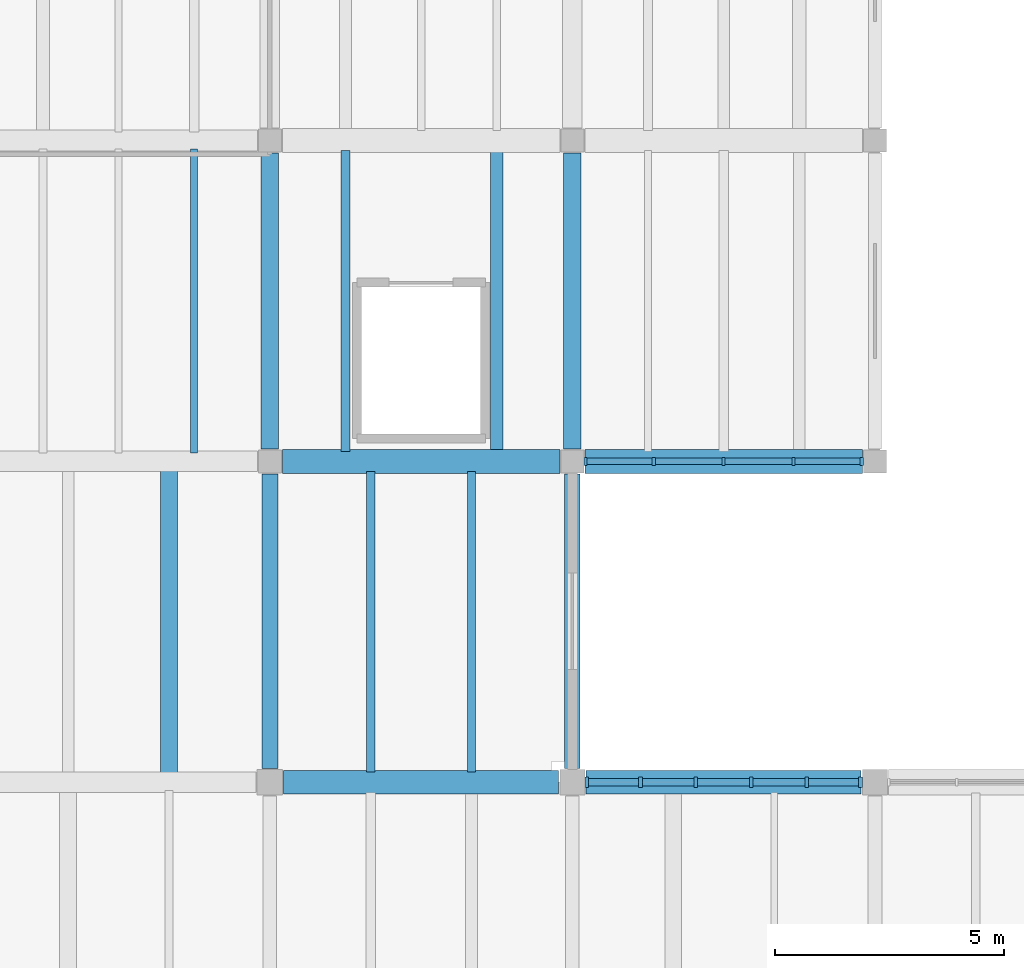
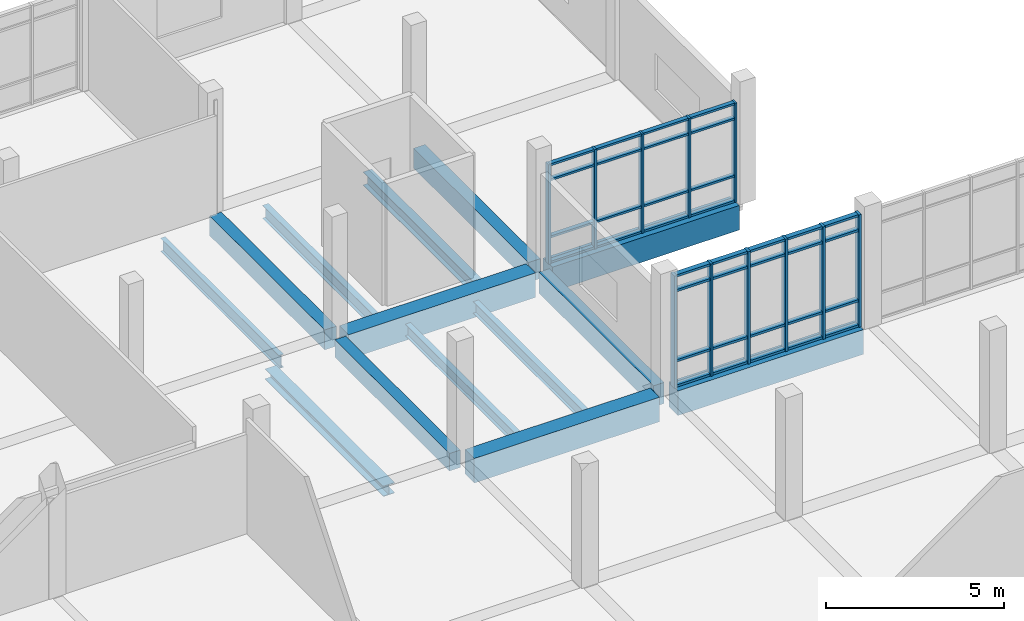
# One storey, part 21 of 65: 47 members, 14 beams, 2 elements without a shape of their own.
"""IFC4 building model written with IfcOpenShell, lengths in metres."""

from ifc_helpers import new_model, si_unit, direction, frame, origin, origin_2d, place, context, subcontext, project, spatial, rectangle, i_section, extrude, material, material_profile, profile_set, type_object, element, aggregate, save


model = new_model("IFC4")

# Units and contexts
model_context = context("Model", 3, precision=1e-05, world=origin(), true_north=direction((0.0, 1.0)))
body_context = subcontext(model_context, "Body", "Model", "MODEL_VIEW")
ifc_project = project(units=[si_unit("LENGTHUNIT", "METRE"), si_unit("AREAUNIT", "SQUARE_METRE"), si_unit("VOLUMEUNIT", "CUBIC_METRE"), si_unit("PLANEANGLEUNIT", "RADIAN"), si_unit("MASSUNIT", "GRAM", prefix="KILO")], contexts=[model_context])

# Site, building, storey
site_placement = place(None, origin())
site = spatial("IfcSite", under=ifc_project, at=site_placement, CompositionType="ELEMENT")
building_placement = place(site_placement, origin())
building = spatial("IfcBuilding", under=site, at=building_placement, Name="Ciguamira Faculty of Natural Sciences", CompositionType="ELEMENT")
storey_placement = place(building_placement, frame((0.0, 0.0, 12.60009765625)))
storey = spatial("IfcBuildingStorey", under=building, at=storey_placement, Name="L03", CompositionType="ELEMENT", Elevation=12.60009765625)

# Curtain wall, members
ifc_material_1 = material(Name="Anodized aluminium curtain wall", Category="aluminium")
curtain_wall_type_1 = type_object("IfcCurtainWallType", Name="CurtainWall_CW-05", PredefinedType="USERDEFINED", material=ifc_material_1)
curtain_wall_1_placement = place(storey_placement, origin())
curtain_wall_1 = element("IfcCurtainWall", 1, at=curtain_wall_1_placement, inside=storey, type_object=curtain_wall_type_1, Name="L03 unitised curtain wall 0089", ObjectType="UNITISED CURTAIN WALL", PredefinedType="USERDEFINED")
ifc_material_2 = material(Name="Anodized aluminium mullion", Category="aluminium")
ifc_material_profile_1 = material_profile(ifc_material_2, rectangle(XDim=0.070068359375, YDim=0.179931640625, at=origin_2d()), Name="ALU-MUL-70X180")
ifc_profile_set_1 = profile_set([ifc_material_profile_1], Name="Anodized aluminium mullion")
member_type_1 = type_object("IfcMemberType", Name="CWMullion_CWM-02", PredefinedType="MULLION", material=ifc_profile_set_1)
member_1_placement = place(storey_placement, frame((110.385009765625, 45.0, 0.0), z_axis=(0.0, 0.0, 1.0), x_axis=(1.0, 0.0, 0.0)))
member_1 = element("IfcMember", 2, at=member_1_placement, type_object=member_type_1, Name="CW-05 mullion 1", PredefinedType="MULLION", context=body_context, shape_type="SweptSolid", body=[
    extrude(rectangle(XDim=0.070068359375, YDim=0.179931640625, at=origin_2d()), origin(), (0.0, 0.0, 1.0), 3.40478515625),
])
member_2_placement = place(storey_placement, frame((111.875, 45.0, 0.0), z_axis=(0.0, 0.0, 1.0), x_axis=(1.0, 0.0, 0.0)))
member_2 = element("IfcMember", 3, at=member_2_placement, type_object=member_type_1, Name="CW-05 mullion 2", PredefinedType="MULLION", context=body_context, shape_type="SweptSolid", body=[
    extrude(rectangle(XDim=0.070068359375, YDim=0.179931640625, at=origin_2d()), origin(), (0.0, 0.0, 1.0), 3.40478515625),
])
member_3_placement = place(storey_placement, frame((113.39990234375, 45.0, 0.0), z_axis=(0.0, 0.0, 1.0), x_axis=(1.0, 0.0, 0.0)))
member_3 = element("IfcMember", 4, at=member_3_placement, type_object=member_type_1, Name="CW-05 mullion 3", PredefinedType="MULLION", context=body_context, shape_type="SweptSolid", body=[
    extrude(rectangle(XDim=0.070068359375, YDim=0.179931640625, at=origin_2d()), origin(), (0.0, 0.0, 1.0), 3.40478515625),
])
member_4_placement = place(storey_placement, frame((114.925048828125, 45.0, 0.0), z_axis=(0.0, 0.0, 1.0), x_axis=(1.0, 0.0, 0.0)))
member_4 = element("IfcMember", 5, at=member_4_placement, type_object=member_type_1, Name="CW-05 mullion 4", PredefinedType="MULLION", context=body_context, shape_type="SweptSolid", body=[
    extrude(rectangle(XDim=0.070068359375, YDim=0.179931640625, at=origin_2d()), origin(), (0.0, 0.0, 1.0), 3.40478515625),
])
member_5_placement = place(storey_placement, frame((116.4150390625, 45.0, 0.0), z_axis=(0.0, 0.0, 1.0), x_axis=(1.0, 0.0, 0.0)))
member_5 = element("IfcMember", 6, at=member_5_placement, type_object=member_type_1, Name="CW-05 mullion 5", PredefinedType="MULLION", context=body_context, shape_type="SweptSolid", body=[
    extrude(rectangle(XDim=0.070068359375, YDim=0.179931640625, at=origin_2d()), origin(), (0.0, 0.0, 1.0), 3.40478515625),
])

curtain_wall_type_2 = type_object("IfcCurtainWallType", Name="CurtainWall_CW-03", PredefinedType="USERDEFINED", material=ifc_material_1)
curtain_wall_2_placement = place(storey_placement, origin())
curtain_wall_2 = element("IfcCurtainWall", 7, at=curtain_wall_2_placement, inside=storey, type_object=curtain_wall_type_2, Name="L03 unitised curtain wall 0087", ObjectType="UNITISED CURTAIN WALL", PredefinedType="USERDEFINED")
ifc_material_profile_2 = material_profile(ifc_material_2, rectangle(XDim=0.080078125, YDim=0.219970703125, at=origin_2d()), Name="ALU-MUL-80X220")
ifc_profile_set_2 = profile_set([ifc_material_profile_2], Name="Anodized aluminium mullion")
member_type_2 = type_object("IfcMemberType", Name="CWMullion_CWM-03", PredefinedType="MULLION", material=ifc_profile_set_2)
member_6_placement = place(storey_placement, frame((110.4150390625, 38.0, 0.0), z_axis=(0.0, 0.0, 1.0), x_axis=(1.0, 0.0, 0.0)))
member_6 = element("IfcMember", 8, at=member_6_placement, type_object=member_type_2, Name="CW-03 mullion 1", PredefinedType="MULLION", context=body_context, shape_type="SweptSolid", body=[
    extrude(rectangle(XDim=0.080078125, YDim=0.219970703125, at=origin_2d()), origin(), (0.0, 0.0, 1.0), 3.849853515625),
])
member_7_placement = place(storey_placement, frame((111.5849609375, 38.0, 0.0), z_axis=(0.0, 0.0, 1.0), x_axis=(1.0, 0.0, 0.0)))
member_7 = element("IfcMember", 9, at=member_7_placement, type_object=member_type_2, Name="CW-03 mullion 2", PredefinedType="MULLION", context=body_context, shape_type="SweptSolid", body=[
    extrude(rectangle(XDim=0.080078125, YDim=0.219970703125, at=origin_2d()), origin(), (0.0, 0.0, 1.0), 3.849853515625),
])
member_8_placement = place(storey_placement, frame((112.794921875, 38.0, 0.0), z_axis=(0.0, 0.0, 1.0), x_axis=(1.0, 0.0, 0.0)))
member_8 = element("IfcMember", 10, at=member_8_placement, type_object=member_type_2, Name="CW-03 mullion 3", PredefinedType="MULLION", context=body_context, shape_type="SweptSolid", body=[
    extrude(rectangle(XDim=0.080078125, YDim=0.219970703125, at=origin_2d()), origin(), (0.0, 0.0, 1.0), 3.849853515625),
])
member_9_placement = place(storey_placement, frame((114.0048828125, 38.0, 0.0), z_axis=(0.0, 0.0, 1.0), x_axis=(1.0, 0.0, 0.0)))
member_9 = element("IfcMember", 11, at=member_9_placement, type_object=member_type_2, Name="CW-03 mullion 4", PredefinedType="MULLION", context=body_context, shape_type="SweptSolid", body=[
    extrude(rectangle(XDim=0.080078125, YDim=0.219970703125, at=origin_2d()), origin(), (0.0, 0.0, 1.0), 3.849853515625),
])
member_10_placement = place(storey_placement, frame((115.215087890625, 38.0, 0.0), z_axis=(0.0, 0.0, 1.0), x_axis=(1.0, 0.0, 0.0)))
member_10 = element("IfcMember", 12, at=member_10_placement, type_object=member_type_2, Name="CW-03 mullion 5", PredefinedType="MULLION", context=body_context, shape_type="SweptSolid", body=[
    extrude(rectangle(XDim=0.080078125, YDim=0.219970703125, at=origin_2d()), origin(), (0.0, 0.0, 1.0), 3.849853515625),
])
member_11_placement = place(storey_placement, frame((116.385009765625, 38.0, 0.0), z_axis=(0.0, 0.0, 1.0), x_axis=(1.0, 0.0, 0.0)))
member_11 = element("IfcMember", 13, at=member_11_placement, type_object=member_type_2, Name="CW-03 mullion 6", PredefinedType="MULLION", context=body_context, shape_type="SweptSolid", body=[
    extrude(rectangle(XDim=0.080078125, YDim=0.219970703125, at=origin_2d()), origin(), (0.0, 0.0, 1.0), 3.849853515625),
])

# Member
ifc_material_3 = material(Name="Anodized aluminium transom", Category="aluminium")
ifc_material_profile_3 = material_profile(ifc_material_3, rectangle(XDim=0.070068359375, YDim=0.139892578125, at=origin_2d()), Name="ALU-TRN-70X140")
ifc_profile_set_3 = profile_set([ifc_material_profile_3], Name="Anodized aluminium transom")
member_type_3 = type_object("IfcMemberType", Name="CWTransom_CWT-02", PredefinedType="USERDEFINED", material=ifc_profile_set_3)
member_12_placement = place(storey_placement, frame((110.419921875, 45.0, 0.034912109375), z_axis=(1.0, 0.0, 0.0), x_axis=(0.0, 0.0, 1.0)))
member_12 = element("IfcMember", 14, at=member_12_placement, type_object=member_type_3, Name="CW-05 transom 1.1", ObjectType="TRANSOM", PredefinedType="USERDEFINED", context=body_context, shape_type="SweptSolid", body=[
    extrude(rectangle(XDim=0.070068359375, YDim=0.139892578125, at=origin_2d()), origin(), (0.0, 0.0, 1.0), 1.420166015625),
])

member_13_placement = place(storey_placement, frame((110.419921875, 45.0, 0.89990234375), z_axis=(1.0, 0.0, 0.0), x_axis=(0.0, 0.0, 1.0)))
member_13 = element("IfcMember", 15, at=member_13_placement, type_object=member_type_3, Name="CW-05 transom 1.2", ObjectType="TRANSOM", PredefinedType="USERDEFINED", context=body_context, shape_type="SweptSolid", body=[
    extrude(rectangle(XDim=0.070068359375, YDim=0.139892578125, at=origin_2d()), origin(), (0.0, 0.0, 1.0), 1.420166015625),
])

member_14_placement = place(storey_placement, frame((110.419921875, 45.0, 2.85498046875), z_axis=(1.0, 0.0, 0.0), x_axis=(0.0, 0.0, 1.0)))
member_14 = element("IfcMember", 16, at=member_14_placement, type_object=member_type_3, Name="CW-05 transom 1.3", ObjectType="TRANSOM", PredefinedType="USERDEFINED", context=body_context, shape_type="SweptSolid", body=[
    extrude(rectangle(XDim=0.070068359375, YDim=0.139892578125, at=origin_2d()), origin(), (0.0, 0.0, 1.0), 1.420166015625),
])

member_15_placement = place(storey_placement, frame((110.419921875, 45.0, 3.369873046875), z_axis=(1.0, 0.0, 0.0), x_axis=(0.0, 0.0, 1.0)))
member_15 = element("IfcMember", 17, at=member_15_placement, type_object=member_type_3, Name="CW-05 transom 1.4", ObjectType="TRANSOM", PredefinedType="USERDEFINED", context=body_context, shape_type="SweptSolid", body=[
    extrude(rectangle(XDim=0.070068359375, YDim=0.139892578125, at=origin_2d()), origin(), (0.0, 0.0, 1.0), 1.420166015625),
])

member_16_placement = place(storey_placement, frame((111.909912109375, 45.0, 0.034912109375), z_axis=(1.0, 0.0, 0.0), x_axis=(0.0, 0.0, 1.0)))
member_16 = element("IfcMember", 18, at=member_16_placement, type_object=member_type_3, Name="CW-05 transom 2.1", ObjectType="TRANSOM", PredefinedType="USERDEFINED", context=body_context, shape_type="SweptSolid", body=[
    extrude(rectangle(XDim=0.070068359375, YDim=0.139892578125, at=origin_2d()), origin(), (0.0, 0.0, 1.0), 1.455078125),
])

member_17_placement = place(storey_placement, frame((111.909912109375, 45.0, 0.89990234375), z_axis=(1.0, 0.0, 0.0), x_axis=(0.0, 0.0, 1.0)))
member_17 = element("IfcMember", 19, at=member_17_placement, type_object=member_type_3, Name="CW-05 transom 2.2", ObjectType="TRANSOM", PredefinedType="USERDEFINED", context=body_context, shape_type="SweptSolid", body=[
    extrude(rectangle(XDim=0.070068359375, YDim=0.139892578125, at=origin_2d()), origin(), (0.0, 0.0, 1.0), 1.455078125),
])

member_18_placement = place(storey_placement, frame((111.909912109375, 45.0, 2.85498046875), z_axis=(1.0, 0.0, 0.0), x_axis=(0.0, 0.0, 1.0)))
member_18 = element("IfcMember", 20, at=member_18_placement, type_object=member_type_3, Name="CW-05 transom 2.3", ObjectType="TRANSOM", PredefinedType="USERDEFINED", context=body_context, shape_type="SweptSolid", body=[
    extrude(rectangle(XDim=0.070068359375, YDim=0.139892578125, at=origin_2d()), origin(), (0.0, 0.0, 1.0), 1.455078125),
])

member_19_placement = place(storey_placement, frame((111.909912109375, 45.0, 3.369873046875), z_axis=(1.0, 0.0, 0.0), x_axis=(0.0, 0.0, 1.0)))
member_19 = element("IfcMember", 21, at=member_19_placement, type_object=member_type_3, Name="CW-05 transom 2.4", ObjectType="TRANSOM", PredefinedType="USERDEFINED", context=body_context, shape_type="SweptSolid", body=[
    extrude(rectangle(XDim=0.070068359375, YDim=0.139892578125, at=origin_2d()), origin(), (0.0, 0.0, 1.0), 1.455078125),
])

member_20_placement = place(storey_placement, frame((113.43505859375, 45.0, 0.034912109375), z_axis=(1.0, 0.0, 0.0), x_axis=(0.0, 0.0, 1.0)))
member_20 = element("IfcMember", 22, at=member_20_placement, type_object=member_type_3, Name="CW-05 transom 3.1", ObjectType="TRANSOM", PredefinedType="USERDEFINED", context=body_context, shape_type="SweptSolid", body=[
    extrude(rectangle(XDim=0.070068359375, YDim=0.139892578125, at=origin_2d()), origin(), (0.0, 0.0, 1.0), 1.454833984375),
])

member_21_placement = place(storey_placement, frame((113.43505859375, 45.0, 0.89990234375), z_axis=(1.0, 0.0, 0.0), x_axis=(0.0, 0.0, 1.0)))
member_21 = element("IfcMember", 23, at=member_21_placement, type_object=member_type_3, Name="CW-05 transom 3.2", ObjectType="TRANSOM", PredefinedType="USERDEFINED", context=body_context, shape_type="SweptSolid", body=[
    extrude(rectangle(XDim=0.070068359375, YDim=0.139892578125, at=origin_2d()), origin(), (0.0, 0.0, 1.0), 1.454833984375),
])

member_22_placement = place(storey_placement, frame((113.43505859375, 45.0, 2.85498046875), z_axis=(1.0, 0.0, 0.0), x_axis=(0.0, 0.0, 1.0)))
member_22 = element("IfcMember", 24, at=member_22_placement, type_object=member_type_3, Name="CW-05 transom 3.3", ObjectType="TRANSOM", PredefinedType="USERDEFINED", context=body_context, shape_type="SweptSolid", body=[
    extrude(rectangle(XDim=0.070068359375, YDim=0.139892578125, at=origin_2d()), origin(), (0.0, 0.0, 1.0), 1.454833984375),
])

member_23_placement = place(storey_placement, frame((113.43505859375, 45.0, 3.369873046875), z_axis=(1.0, 0.0, 0.0), x_axis=(0.0, 0.0, 1.0)))
member_23 = element("IfcMember", 25, at=member_23_placement, type_object=member_type_3, Name="CW-05 transom 3.4", ObjectType="TRANSOM", PredefinedType="USERDEFINED", context=body_context, shape_type="SweptSolid", body=[
    extrude(rectangle(XDim=0.070068359375, YDim=0.139892578125, at=origin_2d()), origin(), (0.0, 0.0, 1.0), 1.454833984375),
])

member_24_placement = place(storey_placement, frame((114.9599609375, 45.0, 0.034912109375), z_axis=(1.0, 0.0, 0.0), x_axis=(0.0, 0.0, 1.0)))
member_24 = element("IfcMember", 26, at=member_24_placement, type_object=member_type_3, Name="CW-05 transom 4.1", ObjectType="TRANSOM", PredefinedType="USERDEFINED", context=body_context, shape_type="SweptSolid", body=[
    extrude(rectangle(XDim=0.070068359375, YDim=0.139892578125, at=origin_2d()), origin(), (0.0, 0.0, 1.0), 1.419921875),
])

member_25_placement = place(storey_placement, frame((114.9599609375, 45.0, 0.89990234375), z_axis=(1.0, 0.0, 0.0), x_axis=(0.0, 0.0, 1.0)))
member_25 = element("IfcMember", 27, at=member_25_placement, type_object=member_type_3, Name="CW-05 transom 4.2", ObjectType="TRANSOM", PredefinedType="USERDEFINED", context=body_context, shape_type="SweptSolid", body=[
    extrude(rectangle(XDim=0.070068359375, YDim=0.139892578125, at=origin_2d()), origin(), (0.0, 0.0, 1.0), 1.419921875),
])

member_26_placement = place(storey_placement, frame((114.9599609375, 45.0, 2.85498046875), z_axis=(1.0, 0.0, 0.0), x_axis=(0.0, 0.0, 1.0)))
member_26 = element("IfcMember", 28, at=member_26_placement, type_object=member_type_3, Name="CW-05 transom 4.3", ObjectType="TRANSOM", PredefinedType="USERDEFINED", context=body_context, shape_type="SweptSolid", body=[
    extrude(rectangle(XDim=0.070068359375, YDim=0.139892578125, at=origin_2d()), origin(), (0.0, 0.0, 1.0), 1.419921875),
])

member_27_placement = place(storey_placement, frame((114.9599609375, 45.0, 3.369873046875), z_axis=(1.0, 0.0, 0.0), x_axis=(0.0, 0.0, 1.0)))
member_27 = element("IfcMember", 29, at=member_27_placement, type_object=member_type_3, Name="CW-05 transom 4.4", ObjectType="TRANSOM", PredefinedType="USERDEFINED", context=body_context, shape_type="SweptSolid", body=[
    extrude(rectangle(XDim=0.070068359375, YDim=0.139892578125, at=origin_2d()), origin(), (0.0, 0.0, 1.0), 1.419921875),
])

aggregate(curtain_wall_1, [member_1, member_2, member_3, member_4, member_5, member_12, member_13, member_14, member_15, member_16, member_17, member_18, member_19, member_20, member_21, member_22, member_23, member_24, member_25, member_26, member_27])

ifc_material_profile_4 = material_profile(ifc_material_3, rectangle(XDim=0.080078125, YDim=0.159912109375, at=origin_2d()), Name="ALU-TRN-80X160")
ifc_profile_set_4 = profile_set([ifc_material_profile_4], Name="Anodized aluminium transom")
member_type_4 = type_object("IfcMemberType", Name="CWTransom_CWT-03", PredefinedType="USERDEFINED", material=ifc_profile_set_4)
member_28_placement = place(storey_placement, frame((110.455078125, 38.0, 0.039794921875), z_axis=(1.0, 0.0, 0.0), x_axis=(0.0, 0.0, 1.0)))
member_28 = element("IfcMember", 30, at=member_28_placement, type_object=member_type_4, Name="CW-03 transom 1.1", ObjectType="TRANSOM", PredefinedType="USERDEFINED", context=body_context, shape_type="SweptSolid", body=[
    extrude(rectangle(XDim=0.080078125, YDim=0.159912109375, at=origin_2d()), origin(), (0.0, 0.0, 1.0), 1.08984375),
])

member_29_placement = place(storey_placement, frame((110.455078125, 38.0, 0.89990234375), z_axis=(1.0, 0.0, 0.0), x_axis=(0.0, 0.0, 1.0)))
member_29 = element("IfcMember", 31, at=member_29_placement, type_object=member_type_4, Name="CW-03 transom 1.2", ObjectType="TRANSOM", PredefinedType="USERDEFINED", context=body_context, shape_type="SweptSolid", body=[
    extrude(rectangle(XDim=0.080078125, YDim=0.159912109375, at=origin_2d()), origin(), (0.0, 0.0, 1.0), 1.08984375),
])

member_30_placement = place(storey_placement, frame((110.455078125, 38.0, 3.2998046875), z_axis=(1.0, 0.0, 0.0), x_axis=(0.0, 0.0, 1.0)))
member_30 = element("IfcMember", 32, at=member_30_placement, type_object=member_type_4, Name="CW-03 transom 1.3", ObjectType="TRANSOM", PredefinedType="USERDEFINED", context=body_context, shape_type="SweptSolid", body=[
    extrude(rectangle(XDim=0.080078125, YDim=0.159912109375, at=origin_2d()), origin(), (0.0, 0.0, 1.0), 1.08984375),
])

member_31_placement = place(storey_placement, frame((110.455078125, 38.0, 3.809814453125), z_axis=(1.0, 0.0, 0.0), x_axis=(0.0, 0.0, 1.0)))
member_31 = element("IfcMember", 33, at=member_31_placement, type_object=member_type_4, Name="CW-03 transom 1.4", ObjectType="TRANSOM", PredefinedType="USERDEFINED", context=body_context, shape_type="SweptSolid", body=[
    extrude(rectangle(XDim=0.080078125, YDim=0.159912109375, at=origin_2d()), origin(), (0.0, 0.0, 1.0), 1.08984375),
])

member_32_placement = place(storey_placement, frame((111.625, 38.0, 0.039794921875), z_axis=(1.0, 0.0, 0.0), x_axis=(0.0, 0.0, 1.0)))
member_32 = element("IfcMember", 34, at=member_32_placement, type_object=member_type_4, Name="CW-03 transom 2.1", ObjectType="TRANSOM", PredefinedType="USERDEFINED", context=body_context, shape_type="SweptSolid", body=[
    extrude(rectangle(XDim=0.080078125, YDim=0.159912109375, at=origin_2d()), origin(), (0.0, 0.0, 1.0), 1.1298828125),
])

member_33_placement = place(storey_placement, frame((111.625, 38.0, 0.89990234375), z_axis=(1.0, 0.0, 0.0), x_axis=(0.0, 0.0, 1.0)))
member_33 = element("IfcMember", 35, at=member_33_placement, type_object=member_type_4, Name="CW-03 transom 2.2", ObjectType="TRANSOM", PredefinedType="USERDEFINED", context=body_context, shape_type="SweptSolid", body=[
    extrude(rectangle(XDim=0.080078125, YDim=0.159912109375, at=origin_2d()), origin(), (0.0, 0.0, 1.0), 1.1298828125),
])

member_34_placement = place(storey_placement, frame((111.625, 38.0, 3.2998046875), z_axis=(1.0, 0.0, 0.0), x_axis=(0.0, 0.0, 1.0)))
member_34 = element("IfcMember", 36, at=member_34_placement, type_object=member_type_4, Name="CW-03 transom 2.3", ObjectType="TRANSOM", PredefinedType="USERDEFINED", context=body_context, shape_type="SweptSolid", body=[
    extrude(rectangle(XDim=0.080078125, YDim=0.159912109375, at=origin_2d()), origin(), (0.0, 0.0, 1.0), 1.1298828125),
])

member_35_placement = place(storey_placement, frame((111.625, 38.0, 3.809814453125), z_axis=(1.0, 0.0, 0.0), x_axis=(0.0, 0.0, 1.0)))
member_35 = element("IfcMember", 37, at=member_35_placement, type_object=member_type_4, Name="CW-03 transom 2.4", ObjectType="TRANSOM", PredefinedType="USERDEFINED", context=body_context, shape_type="SweptSolid", body=[
    extrude(rectangle(XDim=0.080078125, YDim=0.159912109375, at=origin_2d()), origin(), (0.0, 0.0, 1.0), 1.1298828125),
])

member_36_placement = place(storey_placement, frame((112.8349609375, 38.0, 0.039794921875), z_axis=(1.0, 0.0, 0.0), x_axis=(0.0, 0.0, 1.0)))
member_36 = element("IfcMember", 38, at=member_36_placement, type_object=member_type_4, Name="CW-03 transom 3.1", ObjectType="TRANSOM", PredefinedType="USERDEFINED", context=body_context, shape_type="SweptSolid", body=[
    extrude(rectangle(XDim=0.080078125, YDim=0.159912109375, at=origin_2d()), origin(), (0.0, 0.0, 1.0), 1.130126953125),
])

member_37_placement = place(storey_placement, frame((112.8349609375, 38.0, 0.89990234375), z_axis=(1.0, 0.0, 0.0), x_axis=(0.0, 0.0, 1.0)))
member_37 = element("IfcMember", 39, at=member_37_placement, type_object=member_type_4, Name="CW-03 transom 3.2", ObjectType="TRANSOM", PredefinedType="USERDEFINED", context=body_context, shape_type="SweptSolid", body=[
    extrude(rectangle(XDim=0.080078125, YDim=0.159912109375, at=origin_2d()), origin(), (0.0, 0.0, 1.0), 1.130126953125),
])

member_38_placement = place(storey_placement, frame((112.8349609375, 38.0, 3.2998046875), z_axis=(1.0, 0.0, 0.0), x_axis=(0.0, 0.0, 1.0)))
member_38 = element("IfcMember", 40, at=member_38_placement, type_object=member_type_4, Name="CW-03 transom 3.3", ObjectType="TRANSOM", PredefinedType="USERDEFINED", context=body_context, shape_type="SweptSolid", body=[
    extrude(rectangle(XDim=0.080078125, YDim=0.159912109375, at=origin_2d()), origin(), (0.0, 0.0, 1.0), 1.130126953125),
])

member_39_placement = place(storey_placement, frame((112.8349609375, 38.0, 3.809814453125), z_axis=(1.0, 0.0, 0.0), x_axis=(0.0, 0.0, 1.0)))
member_39 = element("IfcMember", 41, at=member_39_placement, type_object=member_type_4, Name="CW-03 transom 3.4", ObjectType="TRANSOM", PredefinedType="USERDEFINED", context=body_context, shape_type="SweptSolid", body=[
    extrude(rectangle(XDim=0.080078125, YDim=0.159912109375, at=origin_2d()), origin(), (0.0, 0.0, 1.0), 1.130126953125),
])

member_40_placement = place(storey_placement, frame((114.044921875, 38.0, 0.039794921875), z_axis=(1.0, 0.0, 0.0), x_axis=(0.0, 0.0, 1.0)))
member_40 = element("IfcMember", 42, at=member_40_placement, type_object=member_type_4, Name="CW-03 transom 4.1", ObjectType="TRANSOM", PredefinedType="USERDEFINED", context=body_context, shape_type="SweptSolid", body=[
    extrude(rectangle(XDim=0.080078125, YDim=0.159912109375, at=origin_2d()), origin(), (0.0, 0.0, 1.0), 1.130126953125),
])

member_41_placement = place(storey_placement, frame((114.044921875, 38.0, 0.89990234375), z_axis=(1.0, 0.0, 0.0), x_axis=(0.0, 0.0, 1.0)))
member_41 = element("IfcMember", 43, at=member_41_placement, type_object=member_type_4, Name="CW-03 transom 4.2", ObjectType="TRANSOM", PredefinedType="USERDEFINED", context=body_context, shape_type="SweptSolid", body=[
    extrude(rectangle(XDim=0.080078125, YDim=0.159912109375, at=origin_2d()), origin(), (0.0, 0.0, 1.0), 1.130126953125),
])

member_42_placement = place(storey_placement, frame((114.044921875, 38.0, 3.2998046875), z_axis=(1.0, 0.0, 0.0), x_axis=(0.0, 0.0, 1.0)))
member_42 = element("IfcMember", 44, at=member_42_placement, type_object=member_type_4, Name="CW-03 transom 4.3", ObjectType="TRANSOM", PredefinedType="USERDEFINED", context=body_context, shape_type="SweptSolid", body=[
    extrude(rectangle(XDim=0.080078125, YDim=0.159912109375, at=origin_2d()), origin(), (0.0, 0.0, 1.0), 1.130126953125),
])

member_43_placement = place(storey_placement, frame((114.044921875, 38.0, 3.809814453125), z_axis=(1.0, 0.0, 0.0), x_axis=(0.0, 0.0, 1.0)))
member_43 = element("IfcMember", 45, at=member_43_placement, type_object=member_type_4, Name="CW-03 transom 4.4", ObjectType="TRANSOM", PredefinedType="USERDEFINED", context=body_context, shape_type="SweptSolid", body=[
    extrude(rectangle(XDim=0.080078125, YDim=0.159912109375, at=origin_2d()), origin(), (0.0, 0.0, 1.0), 1.130126953125),
])

member_44_placement = place(storey_placement, frame((115.2548828125, 38.0, 0.039794921875), z_axis=(1.0, 0.0, 0.0), x_axis=(0.0, 0.0, 1.0)))
member_44 = element("IfcMember", 46, at=member_44_placement, type_object=member_type_4, Name="CW-03 transom 5.1", ObjectType="TRANSOM", PredefinedType="USERDEFINED", context=body_context, shape_type="SweptSolid", body=[
    extrude(rectangle(XDim=0.080078125, YDim=0.159912109375, at=origin_2d()), origin(), (0.0, 0.0, 1.0), 1.090087890625),
])

member_45_placement = place(storey_placement, frame((115.2548828125, 38.0, 0.89990234375), z_axis=(1.0, 0.0, 0.0), x_axis=(0.0, 0.0, 1.0)))
member_45 = element("IfcMember", 47, at=member_45_placement, type_object=member_type_4, Name="CW-03 transom 5.2", ObjectType="TRANSOM", PredefinedType="USERDEFINED", context=body_context, shape_type="SweptSolid", body=[
    extrude(rectangle(XDim=0.080078125, YDim=0.159912109375, at=origin_2d()), origin(), (0.0, 0.0, 1.0), 1.090087890625),
])

member_46_placement = place(storey_placement, frame((115.2548828125, 38.0, 3.2998046875), z_axis=(1.0, 0.0, 0.0), x_axis=(0.0, 0.0, 1.0)))
member_46 = element("IfcMember", 48, at=member_46_placement, type_object=member_type_4, Name="CW-03 transom 5.3", ObjectType="TRANSOM", PredefinedType="USERDEFINED", context=body_context, shape_type="SweptSolid", body=[
    extrude(rectangle(XDim=0.080078125, YDim=0.159912109375, at=origin_2d()), origin(), (0.0, 0.0, 1.0), 1.090087890625),
])

member_47_placement = place(storey_placement, frame((115.2548828125, 38.0, 3.809814453125), z_axis=(1.0, 0.0, 0.0), x_axis=(0.0, 0.0, 1.0)))
member_47 = element("IfcMember", 49, at=member_47_placement, type_object=member_type_4, Name="CW-03 transom 5.4", ObjectType="TRANSOM", PredefinedType="USERDEFINED", context=body_context, shape_type="SweptSolid", body=[
    extrude(rectangle(XDim=0.080078125, YDim=0.159912109375, at=origin_2d()), origin(), (0.0, 0.0, 1.0), 1.090087890625),
])

aggregate(curtain_wall_2, [member_6, member_7, member_8, member_9, member_10, member_11, member_28, member_29, member_30, member_31, member_32, member_33, member_34, member_35, member_36, member_37, member_38, member_39, member_40, member_41, member_42, member_43, member_44, member_45, member_46, member_47])

# Beams
ifc_material_4 = material(Name="Concrete C40/50", Category="concrete")
ifc_material_profile_5 = material_profile(ifc_material_4, rectangle(XDim=0.3798828125, YDim=0.679931640625, at=origin_2d()), Name="RC-BM-380X680")
ifc_profile_set_5 = profile_set([ifc_material_profile_5], Name="Concrete C40/50")
beam_type_1 = type_object("IfcBeamType", Name="RCBeam_BG-09_RC-BM-380X680", PredefinedType="BEAM", material=ifc_profile_set_5)
for number, where, z_axis, x_axis, name in (
    (50, (103.5, 45.27490234375, -0.340087890625), (0.0, 1.0, 0.0), (-1.0, 0.0, 0.0), "L03 girder NS-1288"),
    (51, (110.10009765625, 45.27490234375, -0.340087890625), (0.0, 1.0, 0.0), (-1.0, 0.0, 0.0), "L03 girder NS-1298"),
):
    element("IfcBeam", number, at=place(storey_placement, frame(where, z_axis=z_axis, x_axis=x_axis)), inside=storey, type_object=beam_type_1, Name=name, PredefinedType="BEAM", context=body_context, shape_type="SweptSolid", body=[
        extrude(rectangle(XDim=0.3798828125, YDim=0.679931640625, at=origin_2d()), origin(), (0.0, 0.0, 1.0), 6.4501953125),
    ])
ifc_material_profile_6 = material_profile(ifc_material_4, rectangle(XDim=0.35009765625, YDim=0.60009765625, at=origin_2d()), Name="RC-BM-350X600")
ifc_profile_set_6 = profile_set([ifc_material_profile_6], Name="Concrete C40/50")
beam_type_2 = type_object("IfcBeamType", Name="RCBeam_BG-11_RC-BM-350X600", PredefinedType="BEAM", material=ifc_profile_set_6)
beam_1_placement = place(storey_placement, frame((103.5, 38.300048828125, -0.300048828125), z_axis=(0.0, 1.0, 0.0), x_axis=(-1.0, 0.0, 0.0)))
element("IfcBeam", 52, at=beam_1_placement, inside=storey, type_object=beam_type_2, Name="L03 girder NS-1287", PredefinedType="BEAM", context=body_context, shape_type="SweptSolid", body=[
    extrude(rectangle(XDim=0.35009765625, YDim=0.60009765625, at=origin_2d()), origin(), (0.0, 0.0, 1.0), 6.425048828125),
])
ifc_material_5 = material(Name="Precast concrete C40/50", Category="concrete")
ifc_material_profile_7 = material_profile(ifc_material_5, rectangle(XDim=0.340087890625, YDim=0.719970703125, at=origin_2d()), Name="RC-SP-340X720")
ifc_profile_set_7 = profile_set([ifc_material_profile_7], Name="Precast concrete C40/50")
beam_type_3 = type_object("IfcBeamType", Name="RCBeam_SP-03_RC-SP-340X720", PredefinedType="SPANDREL", material=ifc_profile_set_7)
beam_2_placement = place(storey_placement, frame((110.10009765625, 38.300048828125, -0.360107421875), z_axis=(0.0, 1.0, 0.0), x_axis=(-1.0, 0.0, 0.0)))
element("IfcBeam", 53, at=beam_2_placement, inside=storey, type_object=beam_type_3, Name="L03 girder NS-1297", PredefinedType="SPANDREL", context=body_context, shape_type="SweptSolid", body=[
    extrude(rectangle(XDim=0.340087890625, YDim=0.719970703125, at=origin_2d()), origin(), (0.0, 0.0, 1.0), 6.425048828125),
])
ifc_material_profile_8 = material_profile(ifc_material_4, rectangle(XDim=0.52001953125, YDim=0.840087890625, at=origin_2d()), Name="RC-TB-520X840")
ifc_profile_set_8 = profile_set([ifc_material_profile_8], Name="Concrete C40/50")
beam_type_4 = type_object("IfcBeamType", Name="RCBeam_TB-02_RC-TB-520X840", PredefinedType="T_BEAM", material=ifc_profile_set_8)
for number, where, z_axis, x_axis, name in (
    (54, (103.800048828125, 38.0, -0.420166015625), (1.0, 0.0, 0.0), (0.0, 1.0, 0.0), "L03 RC girder EW-1088"),
    (55, (110.39990234375, 38.0, -0.420166015625), (1.0, 0.0, 0.0), (0.0, 1.0, 0.0), "L03 RC girder EW-1089"),
):
    element("IfcBeam", number, at=place(storey_placement, frame(where, z_axis=z_axis, x_axis=x_axis)), inside=storey, type_object=beam_type_4, Name=name, PredefinedType="T_BEAM", context=body_context, shape_type="SweptSolid", body=[
        extrude(rectangle(XDim=0.52001953125, YDim=0.840087890625, at=origin_2d()), origin(), (0.0, 0.0, 1.0), 6.0),
    ])
for number, where, z_axis, x_axis, name in (
    (56, (103.77490234375, 45.0, -0.420166015625), (1.0, 0.0, 0.0), (0.0, 1.0, 0.0), "L03 RC girder EW-1098"),
    (57, (110.375, 45.0, -0.420166015625), (1.0, 0.0, 0.0), (0.0, 1.0, 0.0), "L03 RC girder EW-1099"),
):
    element("IfcBeam", number, at=place(storey_placement, frame(where, z_axis=z_axis, x_axis=x_axis)), inside=storey, type_object=beam_type_4, Name=name, PredefinedType="T_BEAM", context=body_context, shape_type="SweptSolid", body=[
        extrude(rectangle(XDim=0.52001953125, YDim=0.840087890625, at=origin_2d()), origin(), (0.0, 0.0, 1.0), 6.050048828125),
    ])
ifc_material_6 = material(Name="Steel ASTM A992 Grade 50", Category="steel")
ifc_material_profile_9 = material_profile(ifc_material_6, i_section(OverallWidth=0.368408203125, OverallDepth=0.355712890625, WebThickness=0.01123046875, FlangeThickness=0.01806640625, at=origin_2d()), Name="W14X90")
ifc_profile_set_9 = profile_set([ifc_material_profile_9], Name="Steel ASTM A992 Grade 50")
beam_type_5 = type_object("IfcBeamType", Name="SteelJoist_SJ-16_W14X90", PredefinedType="JOIST", material=ifc_profile_set_9)
beam_3_placement = place(storey_placement, frame((101.300048828125, 38.18505859375, -0.4580078125), z_axis=(0.0, 1.0, 0.0), x_axis=(-1.0, 0.0, 0.0)))
element("IfcBeam", 58, at=beam_3_placement, inside=storey, type_object=beam_type_5, Name="L03 composite steel joist 01184", PredefinedType="JOIST", context=body_context, shape_type="SweptSolid", body=[
    extrude(i_section(OverallWidth=0.368408203125, OverallDepth=0.355712890625, WebThickness=0.01123046875, FlangeThickness=0.01806640625, at=origin_2d()), origin(), (0.0, 0.0, 1.0), 6.6298828125),
])
ifc_material_profile_10 = material_profile(ifc_material_6, i_section(OverallWidth=0.177490234375, OverallDepth=0.40380859375, WebThickness=0.007568359375, FlangeThickness=0.010986328125, at=origin_2d()), Name="W16X36")
ifc_profile_set_10 = profile_set([ifc_material_profile_10], Name="Steel ASTM A992 Grade 50")
beam_type_6 = type_object("IfcBeamType", Name="SteelJoist_SJ-18_W16X36", PredefinedType="JOIST", material=ifc_profile_set_10)
beam_4_placement = place(storey_placement, frame((105.699951171875, 38.219970703125, -0.48193359375), z_axis=(0.0, 1.0, 0.0), x_axis=(-1.0, 0.0, 0.0)))
element("IfcBeam", 59, at=beam_4_placement, inside=storey, type_object=beam_type_6, Name="L03 composite steel joist 01212", PredefinedType="JOIST", context=body_context, shape_type="SweptSolid", body=[
    extrude(i_section(OverallWidth=0.177490234375, OverallDepth=0.40380859375, WebThickness=0.007568359375, FlangeThickness=0.010986328125, at=origin_2d()), origin(), (0.0, 0.0, 1.0), 6.56005859375),
])
ifc_material_profile_11 = material_profile(ifc_material_6, i_section(OverallWidth=0.1787109375, OverallDepth=0.408935546875, WebThickness=0.0087890625, FlangeThickness=0.014404296875, at=origin_2d()), Name="W16X45")
ifc_profile_set_11 = profile_set([ifc_material_profile_11], Name="Steel ASTM A992 Grade 50")
beam_type_7 = type_object("IfcBeamType", Name="SteelJoist_SJ-19_W16X45", PredefinedType="JOIST", material=ifc_profile_set_11)
beam_5_placement = place(storey_placement, frame((107.89990234375, 38.219970703125, -0.484619140625), z_axis=(0.0, 1.0, 0.0), x_axis=(-1.0, 0.0, 0.0)))
element("IfcBeam", 60, at=beam_5_placement, inside=storey, type_object=beam_type_7, Name="L03 composite steel joist 01213", PredefinedType="JOIST", context=body_context, shape_type="SweptSolid", body=[
    extrude(i_section(OverallWidth=0.1787109375, OverallDepth=0.408935546875, WebThickness=0.0087890625, FlangeThickness=0.014404296875, at=origin_2d()), origin(), (0.0, 0.0, 1.0), 6.56005859375),
])
ifc_material_profile_12 = material_profile(ifc_material_6, i_section(OverallWidth=0.15283203125, OverallDepth=0.45458984375, WebThickness=0.008056640625, FlangeThickness=0.013427734375, at=origin_2d()), Name="W18X40")
ifc_profile_set_12 = profile_set([ifc_material_profile_12], Name="Steel ASTM A992 Grade 50")
beam_type_8 = type_object("IfcBeamType", Name="SteelJoist_SJ-22_W18X40", PredefinedType="JOIST", material=ifc_profile_set_12)
beam_6_placement = place(storey_placement, frame((101.85009765625, 45.18505859375, -0.50732421875), z_axis=(0.0, 1.0, 0.0), x_axis=(-1.0, 0.0, 0.0)))
element("IfcBeam", 61, at=beam_6_placement, inside=storey, type_object=beam_type_8, Name="L03 composite steel joist 01187", PredefinedType="JOIST", context=body_context, shape_type="SweptSolid", body=[
    extrude(i_section(OverallWidth=0.15283203125, OverallDepth=0.45458984375, WebThickness=0.008056640625, FlangeThickness=0.013427734375, at=origin_2d()), origin(), (0.0, 0.0, 1.0), 6.6298828125),
])
ifc_material_profile_13 = material_profile(ifc_material_6, i_section(OverallWidth=0.1904296875, OverallDepth=0.457275390625, WebThickness=0.009033203125, FlangeThickness=0.014404296875, at=origin_2d()), Name="W18X50")
ifc_profile_set_13 = profile_set([ifc_material_profile_13], Name="Steel ASTM A992 Grade 50")
beam_type_9 = type_object("IfcBeamType", Name="SteelJoist_SJ-23_W18X50", PredefinedType="JOIST", material=ifc_profile_set_13)
beam_7_placement = place(storey_placement, frame((105.14990234375, 45.219970703125, -0.5087890625), z_axis=(0.0, 1.0, 0.0), x_axis=(-1.0, 0.0, 0.0)))
element("IfcBeam", 62, at=beam_7_placement, inside=storey, type_object=beam_type_9, Name="L03 composite steel joist 01214", PredefinedType="JOIST", context=body_context, shape_type="SweptSolid", body=[
    extrude(i_section(OverallWidth=0.1904296875, OverallDepth=0.457275390625, WebThickness=0.009033203125, FlangeThickness=0.014404296875, at=origin_2d()), origin(), (0.0, 0.0, 1.0), 6.56005859375),
])
ifc_material_profile_14 = material_profile(ifc_material_6, i_section(OverallWidth=0.279296875, OverallDepth=0.462158203125, WebThickness=0.0107421875, FlangeThickness=0.017333984375, at=origin_2d()), Name="W18X76")
ifc_profile_set_14 = profile_set([ifc_material_profile_14], Name="Steel ASTM A992 Grade 50")
beam_type_10 = type_object("IfcBeamType", Name="SteelJoist_SJ-25_W18X76", PredefinedType="JOIST", material=ifc_profile_set_14)
beam_8_placement = place(storey_placement, frame((108.449951171875, 45.219970703125, -0.51123046875), z_axis=(0.0, 1.0, 0.0), x_axis=(-1.0, 0.0, 0.0)))
element("IfcBeam", 63, at=beam_8_placement, inside=storey, type_object=beam_type_10, Name="L03 composite steel joist 01215", PredefinedType="JOIST", context=body_context, shape_type="SweptSolid", body=[
    extrude(i_section(OverallWidth=0.279296875, OverallDepth=0.462158203125, WebThickness=0.0107421875, FlangeThickness=0.017333984375, at=origin_2d()), origin(), (0.0, 0.0, 1.0), 6.56005859375),
])

save(model, "model.ifc")
